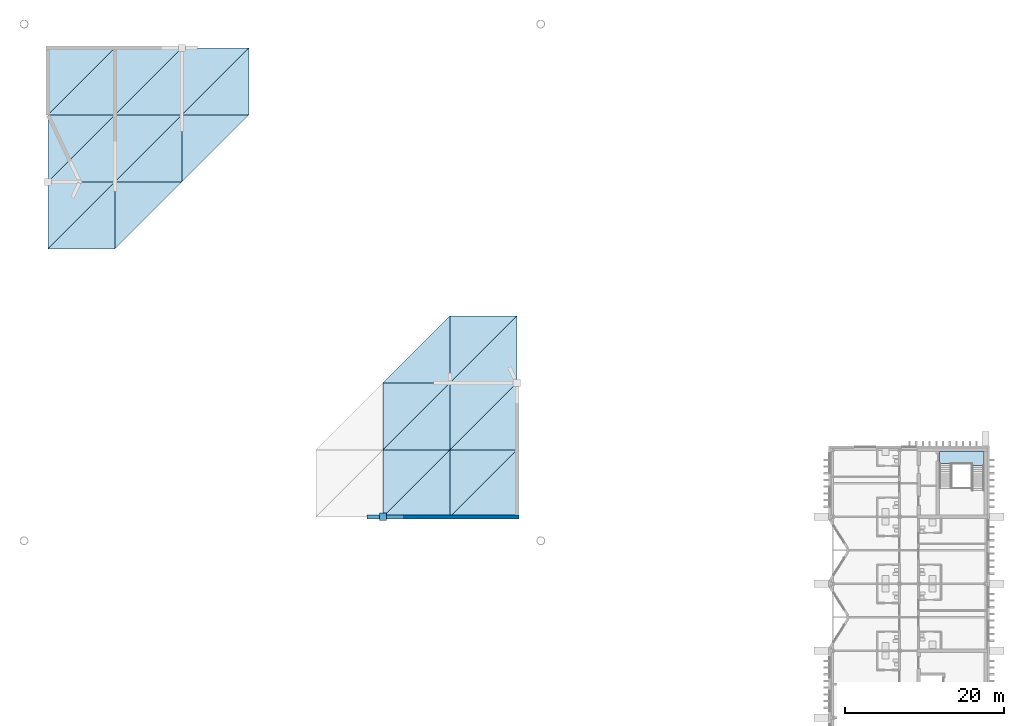
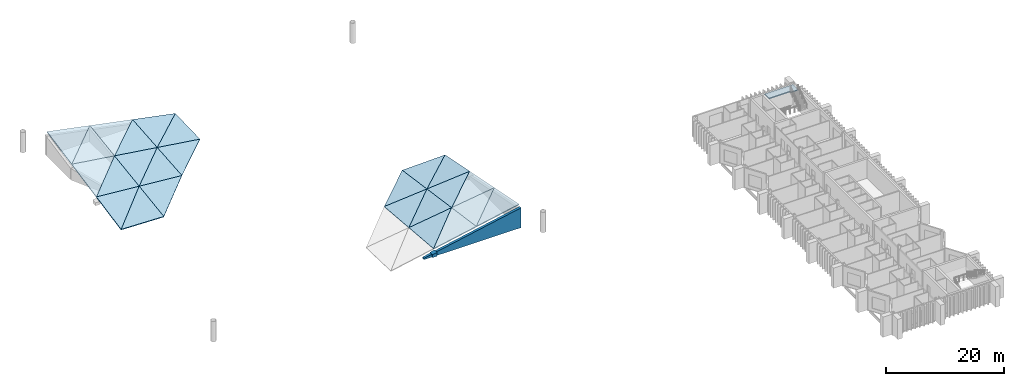
# One storey, part 8 of 17: 26 slabs, 3 walls, 1 element without a shape of its own.
"""IFC4 building model written with IfcOpenShell, lengths in metres."""

from ifc_helpers import new_model, si_unit, direction, frame, origin, place, context, subcontext, project, spatial, polyline, outline, extrude, material, layer, layer_set, type_object, element, aggregate, save


model = new_model("IFC4")

# Units and contexts
model_context = context("Model", 3, precision=1e-05, world=origin(), true_north=direction((0.0, 1.0)))
body_context = subcontext(model_context, "Body", "Model", "MODEL_VIEW")
ifc_project = project(units=[si_unit("LENGTHUNIT", "METRE"), si_unit("AREAUNIT", "SQUARE_METRE"), si_unit("VOLUMEUNIT", "CUBIC_METRE"), si_unit("PLANEANGLEUNIT", "RADIAN"), si_unit("MASSUNIT", "GRAM", prefix="KILO")], contexts=[model_context])

# Site, building, storey
site_placement = place(None, origin())
site = spatial("IfcSite", under=ifc_project, at=site_placement, CompositionType="ELEMENT")
building_placement = place(site_placement, origin())
building = spatial("IfcBuilding", under=site, at=building_placement, Name="Cresset Court Congress Hotel", CompositionType="ELEMENT")
storey_placement = place(building_placement, frame((0.0, 0.0, 31.199951171875)))
storey = spatial("IfcBuildingStorey", under=building, at=storey_placement, Name="L07", CompositionType="ELEMENT", Elevation=31.199951171875)

# Slabs
ifc_material_1 = material(Name="Titanium-zinc standing seam roof panel")
ifc_layer_1 = layer(ifc_material_1, 0.14990234375)
ifc_layer_set_1 = layer_set([ifc_layer_1], Name="Roof cover facet 150")
slab_type_1 = type_object("IfcSlabType", Name="Roof cover facet 150", PredefinedType="ROOF", material=ifc_layer_set_1)
slab_1_placement = place(storey_placement, frame((58.800048828125, 92.39990234375, -0.2265625), z_axis=(0.028385162926, -0.141835415136, 0.989483197199), x_axis=(0.999588785904, 0.0, -0.028675060504)))
element("IfcSlab", 1, at=slab_1_placement, inside=storey, type_object=slab_type_1, Name="Roof panel RP-15A", PredefinedType="ROOF", context=body_context, shape_type="SweptSolid", body=[
    extrude(outline(polyline([(0.0, 0.0), (8.403357922981321, -6.938893903907228e-18), (8.36883023782414, 8.48593715335733), (0.0, 0.0)])), origin(), (0.0, 0.0, -1.0), 0.14990234375),
])
slab_2_placement = place(storey_placement, frame((58.800048828125, 92.39990234375, -0.2265625), z_axis=(0.084051211162, -0.196066467965, 0.976981747036), x_axis=(0.704783923627, 0.704804407959, 0.080810689377)))
element("IfcSlab", 2, at=slab_2_placement, inside=storey, type_object=slab_type_1, Name="Roof panel RP-15B", PredefinedType="ROOF", context=body_context, shape_type="SweptSolid", body=[
    extrude(outline(polyline([(0.0, 0.0), (11.918407985979082, -2.7755575615628914e-17), (6.056690203809499, 6.059773599929104), (0.0, 0.0)])), origin(), (0.0, 0.0, -1.0), 0.14990234375),
])
slab_3_placement = place(storey_placement, frame((58.800048828125, 100.800048828125, 1.459228515625), z_axis=(0.084853853735, -0.141384867102, 0.986311382303), x_axis=(0.996319706968, 0.0, -0.08571488498)))
element("IfcSlab", 3, at=slab_3_placement, inside=storey, type_object=slab_type_1, Name="Roof panel RP-16A", PredefinedType="ROOF", context=body_context, shape_type="SweptSolid", body=[
    extrude(outline(polyline([(0.0, 0.0), (8.430930639033914, 0.0), (8.327721212099867, 8.485138052591934), (0.0, 0.0)])), origin(), (0.0, 0.0, -1.0), 0.14990234375),
])
slab_4_placement = place(storey_placement, frame((58.800048828125, 100.800048828125, 1.459228515625), z_axis=(0.139177580571, -0.19482603736, 0.970913186764), x_axis=(0.706526770687, 0.706526770687, 0.040494994821)))
element("IfcSlab", 4, at=slab_4_placement, inside=storey, type_object=slab_type_1, Name="Roof panel RP-16B", PredefinedType="ROOF", context=body_context, shape_type="SweptSolid", body=[
    extrude(outline(polyline([(0.0, 0.0), (11.889007879465877, -1.249000902703301e-16), (6.003012088987771, 6.112550491556343), (0.0, 0.0)])), origin(), (0.0, 0.0, -1.0), 0.14990234375),
])
slab_5_placement = place(storey_placement, frame((58.800048828125, 109.199951171875, 3.144775390625), z_axis=(0.140489407558, -0.140485324394, 0.980064589705), x_axis=(0.989881480933, 0.0, -0.141896630354)))
element("IfcSlab", 5, at=slab_5_placement, inside=storey, type_object=slab_type_1, Name="Roof panel RP-17A", PredefinedType="ROOF", context=body_context, shape_type="SweptSolid", body=[
    extrude(outline(polyline([(0.0, 0.0), (8.485765726046866, -5.551115123125783e-17), (8.31490777172406, 8.484287188162435), (0.0, 0.0)])), origin(), (0.0, 0.0, -1.0), 0.14990234375),
])
slab_6_placement = place(storey_placement, frame((58.800048828125, 109.199951171875, 3.144775390625), z_axis=(0.193066383106, -0.193060771853, 0.962004631011), x_axis=(0.707096505339, 0.707117056885, 0.0)))
element("IfcSlab", 6, at=slab_6_placement, inside=storey, type_object=slab_type_1, Name="Roof panel RP-17B", PredefinedType="ROOF", context=body_context, shape_type="SweptSolid", body=[
    extrude(outline(polyline([(0.0, 0.0), (11.879428451886664, 0.0), (5.939886859434814, 6.1743093868410295), (0.0, 0.0)])), origin(), (0.0, 0.0, -1.0), 0.14990234375),
])
slab_7_placement = place(storey_placement, frame((67.199951171875, 92.39990234375, -0.467529296875), z_axis=(0.084822994861, -0.141381213468, 0.986314560382), x_axis=(0.706526216723, 0.706526216723, 0.040514320504)))
element("IfcSlab", 7, at=slab_7_placement, inside=storey, type_object=slab_type_1, Name="Roof panel RP-25B", PredefinedType="ROOF", context=body_context, shape_type="SweptSolid", body=[
    extrude(outline(polyline([(0.0, 0.0), (11.889362751937853, 8.326672684688674e-17), (5.983707072148145, 6.017272738250851), (0.0, 0.0)])), origin(), (0.0, 0.0, -1.0), 0.14990234375),
])
slab_8_placement = place(storey_placement, frame((67.199951171875, 100.800048828125, 0.736572265625), z_axis=(0.085370839589, -0.085373320866, 0.992684852223), x_axis=(0.996322392136, 0.0, -0.08568366781)))
element("IfcSlab", 8, at=slab_8_placement, inside=storey, type_object=slab_type_1, Name="Roof panel RP-26A", PredefinedType="ROOF", context=body_context, shape_type="SweptSolid", body=[
    extrude(outline(polyline([(0.0, 0.0), (8.431152958802807, 0.0), (8.3692540396014, 8.43068248507261), (0.0, 0.0)])), origin(), (0.0, 0.0, -1.0), 0.14990234375),
])
slab_9_placement = place(storey_placement, frame((67.199951171875, 100.800048828125, 0.736572265625), z_axis=(0.140485324394, -0.140489407558, 0.980064589705), x_axis=(0.707117056885, 0.707096505339, 0.0)))
element("IfcSlab", 9, at=slab_9_placement, inside=storey, type_object=slab_type_1, Name="Roof panel RP-26B", PredefinedType="ROOF", context=body_context, shape_type="SweptSolid", body=[
    extrude(outline(polyline([(0.0, 0.0), (11.879428451886664, -8.881784197001252e-16), (5.93954159245185, 6.060533444251109), (0.0, 0.0)])), origin(), (0.0, 0.0, -1.0), 0.14990234375),
])
slab_10_placement = place(storey_placement, frame((67.199951171875, 109.199951171875, 1.940673828125), z_axis=(0.141380869637, -0.084851454608, 0.986312161717), x_axis=(0.989882060194, 0.0, -0.141892589324)))
element("IfcSlab", 10, at=slab_10_placement, inside=storey, type_object=slab_type_1, Name="Roof panel RP-27A", PredefinedType="ROOF", context=body_context, shape_type="SweptSolid", body=[
    extrude(outline(polyline([(0.0, 0.0), (8.486007396401009, 0.0), (8.383467829897164, 8.430550317264167), (0.0, 0.0)])), origin(), (0.0, 0.0, -1.0), 0.14990234375),
])
slab_11_placement = place(storey_placement, frame((67.199951171875, 109.199951171875, 1.940673828125), z_axis=(0.194820699563, -0.139173767417, 0.970914804442), x_axis=(0.70652680436, 0.70652680436, -0.04049381981)))
element("IfcSlab", 11, at=slab_11_placement, inside=storey, type_object=slab_type_1, Name="Roof panel RP-27B", PredefinedType="ROOF", context=body_context, shape_type="SweptSolid", body=[
    extrude(outline(polyline([(0.0, 0.0), (11.889352863248849, 5.551115123125783e-17), (5.88616998005347, 6.112718257673092), (0.0, 0.0)])), origin(), (0.0, 0.0, -1.0), 0.14990234375),
])
slab_12_placement = place(storey_placement, frame((75.60009765625, 100.800048828125, 0.01416015625), z_axis=(0.141385210963, -0.084825393195, 0.986313781101), x_axis=(0.706526183016, 0.706526183016, -0.040515496108)))
element("IfcSlab", 12, at=slab_12_placement, inside=storey, type_object=slab_type_1, Name="Roof panel RP-36B", PredefinedType="ROOF", context=body_context, shape_type="SweptSolid", body=[
    extrude(outline(polyline([(0.0, 0.0), (11.889017768441823, 1.6653345369377348e-16), (5.9054820556335015, 6.017102320128777), (0.0, 0.0)])), origin(), (0.0, 0.0, -1.0), 0.14990234375),
])
slab_13_placement = place(storey_placement, frame((75.60009765625, 109.199951171875, 0.736572265625), z_axis=(0.141839457926, -0.028384322012, 0.989482641808), x_axis=(0.989881480933, 0.0, -0.141896630354)))
element("IfcSlab", 13, at=slab_13_placement, inside=storey, type_object=slab_type_1, Name="Roof panel RP-37A", PredefinedType="ROOF", context=body_context, shape_type="SweptSolid", body=[
    extrude(outline(polyline([(0.0, 0.0), (8.485765726046866, 0.0), (8.451573349543093, 8.403532402361694), (0.0, 0.0)])), origin(), (0.0, 0.0, -1.0), 0.14990234375),
])
slab_14_placement = place(storey_placement, frame((75.60009765625, 109.199951171875, 0.736572265625), z_axis=(0.19607198776, -0.084048691657, 0.976980856029), x_axis=(0.704783923627, 0.704804407959, -0.080810689377)))
element("IfcSlab", 14, at=slab_14_placement, inside=storey, type_object=slab_type_1, Name="Roof panel RP-37B", PredefinedType="ROOF", context=body_context, shape_type="SweptSolid", body=[
    extrude(outline(polyline([(0.0, 0.0), (11.918407985979082, -3.3306690738754696e-16), (5.86206191994585, 6.059779126448629), (0.0, 0.0)])), origin(), (0.0, 0.0, -1.0), 0.14990234375),
])
slab_15_placement = place(storey_placement, frame((100.800048828125, 58.800048828125, 1.459228515625), z_axis=(-0.19482603736, 0.139177580571, 0.970913186764), x_axis=(0.980455529857, 0.0, 0.196740829452)))
element("IfcSlab", 15, at=slab_15_placement, inside=storey, type_object=slab_type_1, Name="Roof panel RP-61A", PredefinedType="ROOF", context=body_context, shape_type="SweptSolid", body=[
    extrude(outline(polyline([(0.0, 0.0), (8.567346593453484, 0.0), (8.330450653302616, 8.482458386039493), (0.0, 0.0)])), origin(), (0.0, 0.0, -1.0), 0.14990234375),
])
slab_16_placement = place(storey_placement, frame((100.800048828125, 58.800048828125, 1.459228515625), z_axis=(-0.141384867102, 0.084853853735, 0.986311382303), x_axis=(0.706526770687, 0.706526770687, 0.040494994821)))
element("IfcSlab", 16, at=slab_16_placement, inside=storey, type_object=slab_type_1, Name="Roof panel RP-61B", PredefinedType="ROOF", context=body_context, shape_type="SweptSolid", body=[
    extrude(outline(polyline([(0.0, 0.0), (11.889007879465877, -5.551115123125783e-16), (5.905491915914154, 6.017121959149023), (0.0, 0.0)])), origin(), (0.0, 0.0, -1.0), 0.14990234375),
])
slab_17_placement = place(storey_placement, frame((100.800048828125, 67.199951171875, 0.736572265625), z_axis=(-0.140489407558, 0.140485324394, 0.980064589705), x_axis=(0.989881480933, 0.0, 0.141896630354)))
element("IfcSlab", 17, at=slab_17_placement, inside=storey, type_object=slab_type_1, Name="Roof panel RP-62A", PredefinedType="ROOF", context=body_context, shape_type="SweptSolid", body=[
    extrude(outline(polyline([(0.0, 0.0), (8.485765726046866, -5.551115123125783e-17), (8.31490777172406, 8.484287188162435), (0.0, 0.0)])), origin(), (0.0, 0.0, -1.0), 0.14990234375),
])
slab_18_placement = place(storey_placement, frame((100.800048828125, 67.199951171875, 0.736572265625), z_axis=(-0.085373320866, 0.085370839589, 0.992684852223), x_axis=(0.707096505339, 0.707117056885, 0.0)))
element("IfcSlab", 18, at=slab_18_placement, inside=storey, type_object=slab_type_1, Name="Roof panel RP-62B", PredefinedType="ROOF", context=body_context, shape_type="SweptSolid", body=[
    extrude(outline(polyline([(0.0, 0.0), (11.879428451886664, 8.881784197001252e-16), (5.939886859434814, 5.983484295278372), (0.0, 0.0)])), origin(), (0.0, 0.0, -1.0), 0.14990234375),
])
slab_19_placement = place(storey_placement, frame((100.800048828125, 75.60009765625, 0.01416015625), z_axis=(-0.084825393195, 0.141385210963, 0.986313781101), x_axis=(0.996322179533, 0.0, 0.085686139895)))
element("IfcSlab", 19, at=slab_19_placement, inside=storey, type_object=slab_type_1, Name="Roof panel RP-63A", PredefinedType="ROOF", context=body_context, shape_type="SweptSolid", body=[
    extrude(outline(polyline([(0.0, 0.0), (8.430909716057242, 1.3877787807814457e-17), (8.327734901124677, 8.485138473526245), (0.0, 0.0)])), origin(), (0.0, 0.0, -1.0), 0.14990234375),
])
slab_20_placement = place(storey_placement, frame((109.199951171875, 58.800048828125, 3.144775390625), z_axis=(-0.193060771853, 0.193066383106, 0.962004631011), x_axis=(0.9804511359, 0.0, 0.196762725416)))
element("IfcSlab", 20, at=slab_20_placement, inside=storey, type_object=slab_type_1, Name="Roof panel RP-71A", PredefinedType="ROOF", context=body_context, shape_type="SweptSolid", body=[
    extrude(outline(polyline([(0.0, 0.0), (8.567633997044904, -5.551115123125783e-17), (8.235933162328788, 8.560971048260082), (0.0, 0.0)])), origin(), (0.0, 0.0, -1.0), 0.14990234375),
])
slab_21_placement = place(storey_placement, frame((109.199951171875, 58.800048828125, 3.144775390625), z_axis=(-0.140485324394, 0.140489407558, 0.980064589705), x_axis=(0.707117056885, 0.707096505339, 0.0)))
element("IfcSlab", 21, at=slab_21_placement, inside=storey, type_object=slab_type_1, Name="Roof panel RP-71B", PredefinedType="ROOF", context=body_context, shape_type="SweptSolid", body=[
    extrude(outline(polyline([(0.0, 0.0), (11.879428451886664, -8.881784197001252e-16), (5.93954159245185, 6.060533444251109), (0.0, 0.0)])), origin(), (0.0, 0.0, -1.0), 0.14990234375),
])
slab_22_placement = place(storey_placement, frame((109.199951171875, 67.199951171875, 1.940673828125), z_axis=(-0.139173767417, 0.194820699563, 0.970914804442), x_axis=(0.989882060194, 0.0, 0.141892589324)))
element("IfcSlab", 22, at=slab_22_placement, inside=storey, type_object=slab_type_1, Name="Roof panel RP-72A", PredefinedType="ROOF", context=body_context, shape_type="SweptSolid", body=[
    extrude(outline(polyline([(0.0, 0.0), (8.486007396401009, 2.7755575615628914e-17), (8.246840785879876, 8.564247109886065), (0.0, 0.0)])), origin(), (0.0, 0.0, -1.0), 0.14990234375),
])
slab_23_placement = place(storey_placement, frame((109.199951171875, 67.199951171875, 1.940673828125), z_axis=(-0.084851454608, 0.141380869637, 0.986312161717), x_axis=(0.70652680436, 0.70652680436, -0.04049381981)))
element("IfcSlab", 23, at=slab_23_placement, inside=storey, type_object=slab_type_1, Name="Roof panel RP-72B", PredefinedType="ROOF", context=body_context, shape_type="SweptSolid", body=[
    extrude(outline(polyline([(0.0, 0.0), (11.889352863248849, 1.3877787807814457e-16), (5.983687323462712, 6.017292376709334), (0.0, 0.0)])), origin(), (0.0, 0.0, -1.0), 0.14990234375),
])
slab_24_placement = place(storey_placement, frame((109.199951171875, 75.60009765625, 0.736572265625), z_axis=(-0.084048691657, 0.19607198776, 0.976980856029), x_axis=(0.996319919712, 0.0, 0.085712412077)))
element("IfcSlab", 24, at=slab_24_placement, inside=storey, type_object=slab_type_1, Name="Roof panel RP-73A", PredefinedType="ROOF", context=body_context, shape_type="SweptSolid", body=[
    extrude(outline(polyline([(0.0, 0.0), (8.431173881175845, 2.7755575615628914e-17), (8.286680666968127, 8.566176068932196), (0.0, 0.0)])), origin(), (0.0, 0.0, -1.0), 0.14990234375),
])
slab_25_placement = place(storey_placement, frame((109.199951171875, 75.60009765625, 0.736572265625), z_axis=(-0.028384322012, 0.141839457926, 0.989482641808), x_axis=(0.704804407959, 0.704783923627, -0.080810689377)))
element("IfcSlab", 25, at=slab_25_placement, inside=storey, type_object=slab_type_1, Name="Roof panel RP-73B", PredefinedType="ROOF", context=body_context, shape_type="SweptSolid", body=[
    extrude(outline(polyline([(0.0, 0.0), (11.918407985979082, -8.743006318923108e-16), (6.017420409260502, 5.983215822245331), (0.0, 0.0)])), origin(), (0.0, 0.0, -1.0), 0.14990234375),
])

# Stair, slab
ifc_material_2 = material(Name="Concrete C40", Category="concrete")
stair_type = type_object("IfcStairType", Name="Concrete dog-leg stair 5600", PredefinedType="HALF_TURN_STAIR", material=ifc_material_2)
stair_placement = place(storey_placement, origin())
stair = element("IfcStair", 26, at=stair_placement, inside=storey, type_object=stair_type, Name="Stair A2 L07", PredefinedType="HALF_TURN_STAIR")
ifc_material_3 = material(Name="Concrete C40", Category="concrete")
ifc_layer_2 = layer(ifc_material_3, 0.199951171875)
ifc_layer_set_2 = layer_set([ifc_layer_2], Name="Stair landing 200")
slab_type_2 = type_object("IfcSlabType", Name="Stair landing 200", PredefinedType="LANDING", material=ifc_layer_set_2)
slab_26_placement = place(storey_placement, frame((0.0, 0.0, 4.0)))
slab_26 = element("IfcSlab", 27, at=slab_26_placement, type_object=slab_type_2, Name="A-ST1 landing 2", PredefinedType="LANDING", context=body_context, shape_type="SweptSolid", body=[
    extrude(outline(polyline([(170.60009765625, 67.0), (176.199951171875, 67.0), (176.199951171875, 65.2392578125), (174.699951171875, 65.2392578125), (174.699951171875, 65.499267578125), (170.60009765625, 65.499267578125), (170.60009765625, 67.0)])), origin(), (0.0, 0.0, 1.0), 0.199951171875),
])
aggregate(stair, [slab_26])

# Walls
ifc_material_4 = material(Name="Limestone-faced precast concrete C50", Category="masonry")
ifc_layer_3 = layer(ifc_material_4, 0.5)
ifc_layer_set_3 = layer_set([ifc_layer_3], Name="Hall perimeter wall 500")
wall_type_1 = type_object("IfcWallType", Name="Hall perimeter wall 500", PredefinedType="SOLIDWALL", material=ifc_layer_set_3)
wall_1_placement = place(storey_placement, frame((100.35009765625, 58.800048828125, 0.0), z_axis=(0.0, 0.0, 1.0), x_axis=(-1.0, 0.0, 0.0)))
element("IfcWall", 28, at=wall_1_placement, inside=storey, type_object=wall_type_1, Name="Wall CW-SL07-2", PredefinedType="SOLIDWALL", context=body_context, shape_type="SweptSolid", body=[
    extrude(outline(polyline([(0.0, 0.0), (1.52880859375, 0.0), (1.52880859375, 0.300048828125), (0.0, 0.60693359375), (0.0, 0.0)])), frame((0.0, 0.25, 0.0), z_axis=(0.0, -1.0, 0.0), x_axis=(1.0, 0.0, 0.0)), (0.0, 0.0, 1.0), 0.5),
])
wall_2_placement = place(storey_placement, frame((117.85009765625, 58.800048828125, 0.0), z_axis=(0.0, 0.0, 1.0), x_axis=(-1.0, 0.0, 0.0)))
element("IfcWall", 29, at=wall_2_placement, inside=storey, type_object=wall_type_1, Name="Wall CW-SL07-3", PredefinedType="SOLIDWALL", context=body_context, shape_type="SweptSolid", body=[
    extrude(outline(polyline([(0.0, 0.0), (16.60009765625, 0.0), (16.60009765625, 0.787353515625), (0.0, 4.11865234375), (0.0, 0.0)])), frame((0.0, 0.25, 0.0), z_axis=(0.0, -1.0, 0.0), x_axis=(1.0, 0.0, 0.0)), (0.0, 0.0, 1.0), 0.5),
])
ifc_material_5 = material(Name="Concrete C50", Category="concrete")
ifc_layer_4 = layer(ifc_material_5, 0.89990234375)
ifc_layer_set_4 = layer_set([ifc_layer_4], Name="Hall pilaster 900x900")
wall_type_2 = type_object("IfcWallType", Name="Hall pilaster 900x900", PredefinedType="SOLIDWALL", material=ifc_layer_set_4)
wall_3_placement = place(storey_placement, frame((100.35009765625, 58.800048828125, 0.0), z_axis=(0.0, 0.0, 1.0), x_axis=(1.0, 0.0, 0.0)))
element("IfcWall", 30, at=wall_3_placement, inside=storey, type_object=wall_type_2, Name="Pilaster P-S2", PredefinedType="SOLIDWALL", context=body_context, shape_type="SweptSolid", body=[
    extrude(outline(polyline([(0.0, 0.0), (0.89990234375, 0.0), (0.89990234375, 0.787353515625), (0.0, 0.60693359375), (0.0, 0.0)])), frame((0.0, 0.449951171875, 0.0), z_axis=(0.0, -1.0, 0.0), x_axis=(1.0, 0.0, 0.0)), (0.0, 0.0, 1.0), 0.89990234375),
])

save(model, "model.ifc")
